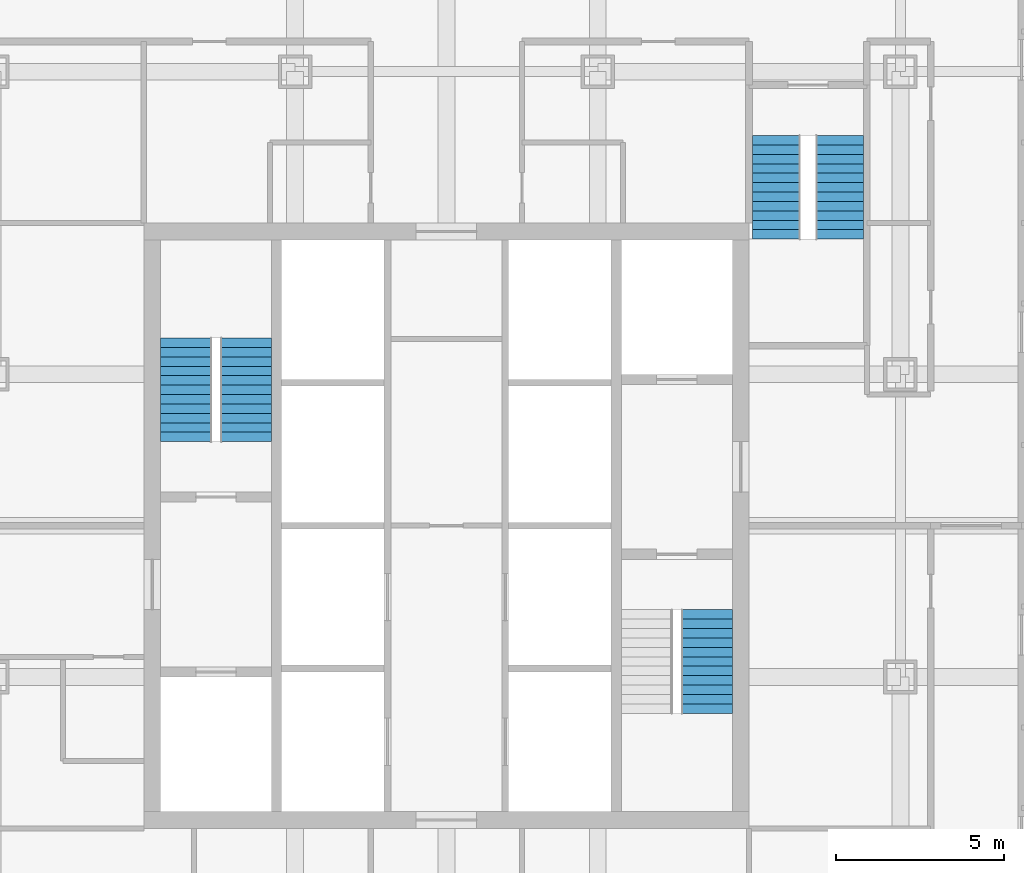
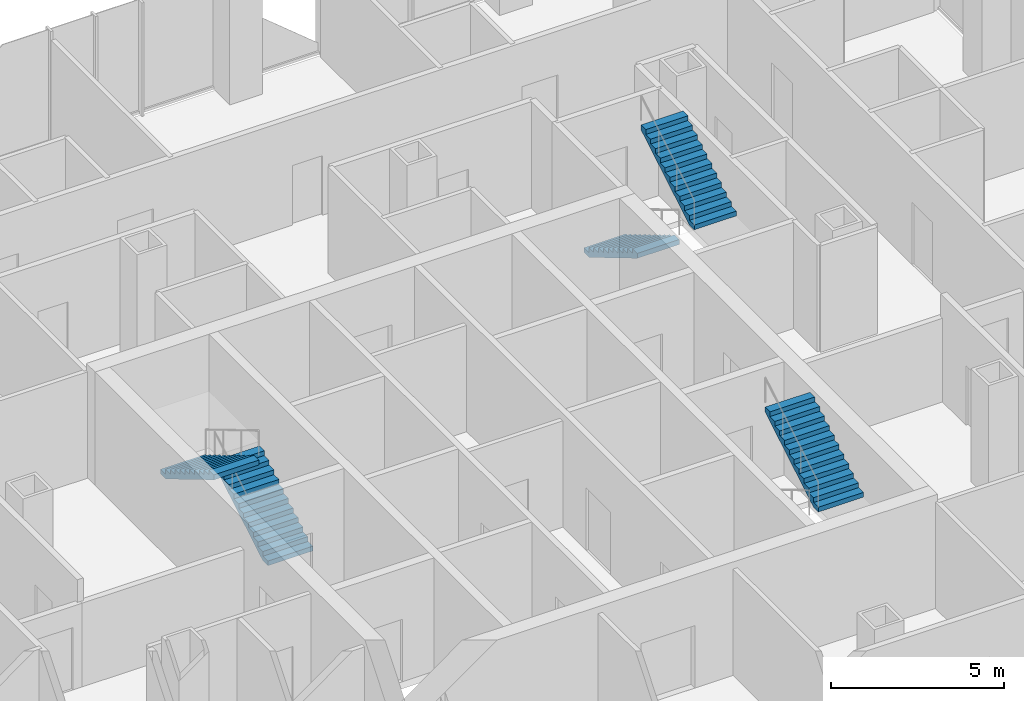
# One storey, part 13 of 18: 5 stair flights, 3 elements without a shape of their own.
"""IFC4 building model written with IfcOpenShell, lengths in metres."""

from ifc_helpers import new_model, si_unit, direction, frame, origin, place, context, subcontext, project, spatial, polyline, outline, extrude, material, type_object, element, aggregate, save


model = new_model("IFC4")

# Units and contexts
model_context = context("Model", 3, precision=1e-05, world=origin(), true_north=direction((0.0, 1.0)))
body_context = subcontext(model_context, "Body", "Model", "MODEL_VIEW")
ifc_project = project(units=[si_unit("LENGTHUNIT", "METRE"), si_unit("AREAUNIT", "SQUARE_METRE"), si_unit("VOLUMEUNIT", "CUBIC_METRE"), si_unit("PLANEANGLEUNIT", "RADIAN"), si_unit("MASSUNIT", "GRAM", prefix="KILO")], contexts=[model_context])

# Site, building, storey
site_placement = place(None, origin())
site = spatial("IfcSite", under=ifc_project, at=site_placement, CompositionType="ELEMENT")
building_placement = place(site_placement, origin())
building = spatial("IfcBuilding", under=site, at=building_placement, Name="Malebo Sky Hospital", CompositionType="ELEMENT")
storey_placement = place(building_placement, frame((0.0, 0.0, 112.0)))
storey = spatial("IfcBuildingStorey", under=building, at=storey_placement, Name="L26", CompositionType="ELEMENT", Elevation=112.0)

# Stair, stair flights
ifc_material = material(Name="Concrete C40/50", Category="concrete")
stair_type_1 = type_object("IfcStairType", Name="HALF-TURN STAIR 1400 R167", PredefinedType="HALF_TURN_STAIR", material=ifc_material)
stair_1_placement = place(storey_placement, origin())
stair_1 = element("IfcStair", 1, at=stair_1_placement, inside=storey, type_object=stair_type_1, Name="Stair S3 L26 type ST1B", PredefinedType="HALF_TURN_STAIR")
stair_flight_type_1 = type_object("IfcStairFlightType", Name="STAIR FLIGHT 1400 R167", PredefinedType="STRAIGHT", material=ifc_material)
stair_flight_1_placement = place(storey_placement, frame((69.800048828125, 73.60009765625, 0.0), z_axis=(0.0, 0.0, 1.0), x_axis=(0.0, -1.0, 0.0)))
stair_flight_1 = element("IfcStairFlight", 2, at=stair_flight_1_placement, type_object=stair_flight_type_1, Name="S3 flight 1 type SF1B", NumberOfRisers=12, NumberOfTreads=11, PredefinedType="STRAIGHT", RiserHeight=0.166666667, TreadLength=0.28, context=body_context, shape_type="SweptSolid", body=[
    extrude(outline(polyline([(0.0, 0.0), (0.0, 0.166748046875), (0.280029296875, 0.166748046875), (0.280029296875, 0.333251953125), (0.56005859375, 0.333251953125), (0.56005859375, 0.5), (0.840087890625, 0.5), (0.840087890625, 0.666748046875), (1.1201171875, 0.666748046875), (1.1201171875, 0.833251953125), (1.39990234375, 0.833251953125), (1.39990234375, 1.0), (1.679931640625, 1.0), (1.679931640625, 1.166748046875), (1.9599609375, 1.166748046875), (1.9599609375, 1.333251953125), (2.239990234375, 1.333251953125), (2.239990234375, 1.5), (2.52001953125, 1.5), (2.52001953125, 1.666748046875), (2.800048828125, 1.666748046875), (2.800048828125, 1.833251953125), (3.080078125, 1.833251953125), (3.080078125, 2.0), (3.080078125, 1.658935546875), (0.29296875, 0.0), (0.0, 0.0)])), frame((0.0, 0.699951171875, 0.0), z_axis=(0.0, -1.0, 0.0), x_axis=(1.0, 0.0, 0.0)), (0.0, 0.0, 1.0), 1.39990234375),
])
stair_flight_2_placement = place(storey_placement, frame((71.699951171875, 70.52001953125, 2.0), z_axis=(0.0, 0.0, 1.0), x_axis=(0.0, 1.0, 0.0)))
stair_flight_2 = element("IfcStairFlight", 3, at=stair_flight_2_placement, type_object=stair_flight_type_1, Name="S3 flight 2 type SF1B", NumberOfRisers=12, NumberOfTreads=11, PredefinedType="STRAIGHT", RiserHeight=0.166666667, TreadLength=0.28, context=body_context, shape_type="SweptSolid", body=[
    extrude(outline(polyline([(0.0, 0.0), (0.0, 0.166748046875), (0.280029296875, 0.166748046875), (0.280029296875, 0.333251953125), (0.56005859375, 0.333251953125), (0.56005859375, 0.5), (0.840087890625, 0.5), (0.840087890625, 0.666748046875), (1.1201171875, 0.666748046875), (1.1201171875, 0.833251953125), (1.39990234375, 0.833251953125), (1.39990234375, 1.0), (1.679931640625, 1.0), (1.679931640625, 1.166748046875), (1.9599609375, 1.166748046875), (1.9599609375, 1.333251953125), (2.239990234375, 1.333251953125), (2.239990234375, 1.5), (2.52001953125, 1.5), (2.52001953125, 1.666748046875), (2.800048828125, 1.666748046875), (2.800048828125, 1.833251953125), (3.080078125, 1.833251953125), (3.080078125, 2.0), (3.080078125, 1.658935546875), (0.29296875, 0.0), (0.0, 0.0)])), frame((0.0, 0.699951171875, 0.0), z_axis=(0.0, -1.0, 0.0), x_axis=(1.0, 0.0, 0.0)), (0.0, 0.0, 1.0), 1.39990234375),
])
aggregate(stair_1, [stair_flight_1, stair_flight_2])

stair_type_2 = type_object("IfcStairType", Name="HALF-TURN STAIR 1500 R167", PredefinedType="HALF_TURN_STAIR", material=ifc_material)
stair_2_placement = place(storey_placement, origin())
stair_2 = element("IfcStair", 4, at=stair_2_placement, inside=storey, type_object=stair_type_2, Name="Stair S1 L26 type ST1", PredefinedType="HALF_TURN_STAIR")
stair_flight_type_2 = type_object("IfcStairFlightType", Name="STAIR FLIGHT 1500 R167", PredefinedType="STRAIGHT", material=ifc_material)
stair_flight_3_placement = place(storey_placement, frame((54.050048828125, 64.5, 0.0), z_axis=(0.0, 0.0, 1.0), x_axis=(0.0, 1.0, 0.0)))
stair_flight_3 = element("IfcStairFlight", 5, at=stair_flight_3_placement, type_object=stair_flight_type_2, Name="S1 flight 1 type SF1", NumberOfRisers=12, NumberOfTreads=11, PredefinedType="STRAIGHT", RiserHeight=0.166666667, TreadLength=0.28, context=body_context, shape_type="SweptSolid", body=[
    extrude(outline(polyline([(0.0, 0.0), (0.0, 0.166748046875), (0.280029296875, 0.166748046875), (0.280029296875, 0.333251953125), (0.56005859375, 0.333251953125), (0.56005859375, 0.5), (0.840087890625, 0.5), (0.840087890625, 0.666748046875), (1.1201171875, 0.666748046875), (1.1201171875, 0.833251953125), (1.39990234375, 0.833251953125), (1.39990234375, 1.0), (1.679931640625, 1.0), (1.679931640625, 1.166748046875), (1.9599609375, 1.166748046875), (1.9599609375, 1.333251953125), (2.239990234375, 1.333251953125), (2.239990234375, 1.5), (2.52001953125, 1.5), (2.52001953125, 1.666748046875), (2.800048828125, 1.666748046875), (2.800048828125, 1.833251953125), (3.080078125, 1.833251953125), (3.080078125, 2.0), (3.080078125, 1.658935546875), (0.29296875, 0.0), (0.0, 0.0)])), frame((0.0, 0.75, 0.0), z_axis=(0.0, -1.0, 0.0), x_axis=(1.0, 0.0, 0.0)), (0.0, 0.0, 1.0), 1.5),
])
stair_flight_4_placement = place(storey_placement, frame((52.25, 67.580078125, 2.0), z_axis=(0.0, 0.0, 1.0), x_axis=(0.0, -1.0, 0.0)))
stair_flight_4 = element("IfcStairFlight", 6, at=stair_flight_4_placement, type_object=stair_flight_type_2, Name="S1 flight 2 type SF1", NumberOfRisers=12, NumberOfTreads=11, PredefinedType="STRAIGHT", RiserHeight=0.166666667, TreadLength=0.28, context=body_context, shape_type="SweptSolid", body=[
    extrude(outline(polyline([(0.0, 0.0), (0.0, 0.166748046875), (0.280029296875, 0.166748046875), (0.280029296875, 0.333251953125), (0.56005859375, 0.333251953125), (0.56005859375, 0.5), (0.840087890625, 0.5), (0.840087890625, 0.666748046875), (1.1201171875, 0.666748046875), (1.1201171875, 0.833251953125), (1.39990234375, 0.833251953125), (1.39990234375, 1.0), (1.679931640625, 1.0), (1.679931640625, 1.166748046875), (1.9599609375, 1.166748046875), (1.9599609375, 1.333251953125), (2.239990234375, 1.333251953125), (2.239990234375, 1.5), (2.52001953125, 1.5), (2.52001953125, 1.666748046875), (2.800048828125, 1.666748046875), (2.800048828125, 1.833251953125), (3.080078125, 1.833251953125), (3.080078125, 2.0), (3.080078125, 1.658935546875), (0.29296875, 0.0), (0.0, 0.0)])), frame((0.0, 0.75, 0.0), z_axis=(0.0, -1.0, 0.0), x_axis=(1.0, 0.0, 0.0)), (0.0, 0.0, 1.0), 1.5),
])
aggregate(stair_2, [stair_flight_3, stair_flight_4])

# Stair, stair flight
stair_3_placement = place(storey_placement, origin())
stair_3 = element("IfcStair", 7, at=stair_3_placement, inside=storey, type_object=stair_type_2, Name="Stair S2 L26 type ST1", PredefinedType="HALF_TURN_STAIR")
stair_flight_5_placement = place(storey_placement, frame((67.75, 56.419921875, 2.0), z_axis=(0.0, 0.0, 1.0), x_axis=(0.0, 1.0, 0.0)))
stair_flight_5 = element("IfcStairFlight", 8, at=stair_flight_5_placement, type_object=stair_flight_type_2, Name="S2 flight 2 type SF1", NumberOfRisers=12, NumberOfTreads=11, PredefinedType="STRAIGHT", RiserHeight=0.166666667, TreadLength=0.28, context=body_context, shape_type="SweptSolid", body=[
    extrude(outline(polyline([(0.0, 0.0), (0.0, 0.166748046875), (0.280029296875, 0.166748046875), (0.280029296875, 0.333251953125), (0.56005859375, 0.333251953125), (0.56005859375, 0.5), (0.840087890625, 0.5), (0.840087890625, 0.666748046875), (1.1201171875, 0.666748046875), (1.1201171875, 0.833251953125), (1.39990234375, 0.833251953125), (1.39990234375, 1.0), (1.679931640625, 1.0), (1.679931640625, 1.166748046875), (1.9599609375, 1.166748046875), (1.9599609375, 1.333251953125), (2.239990234375, 1.333251953125), (2.239990234375, 1.5), (2.52001953125, 1.5), (2.52001953125, 1.666748046875), (2.800048828125, 1.666748046875), (2.800048828125, 1.833251953125), (3.080078125, 1.833251953125), (3.080078125, 2.0), (3.080078125, 1.658935546875), (0.29296875, 0.0), (0.0, 0.0)])), frame((0.0, 0.75, 0.0), z_axis=(0.0, -1.0, 0.0), x_axis=(1.0, 0.0, 0.0)), (0.0, 0.0, 1.0), 1.5),
])
aggregate(stair_3, [stair_flight_5])

save(model, "model.ifc")
